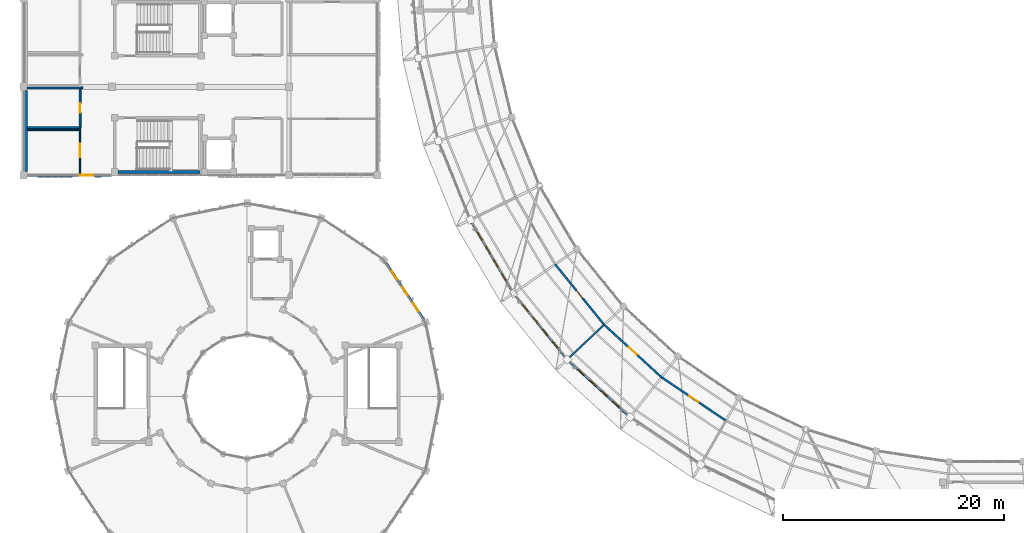
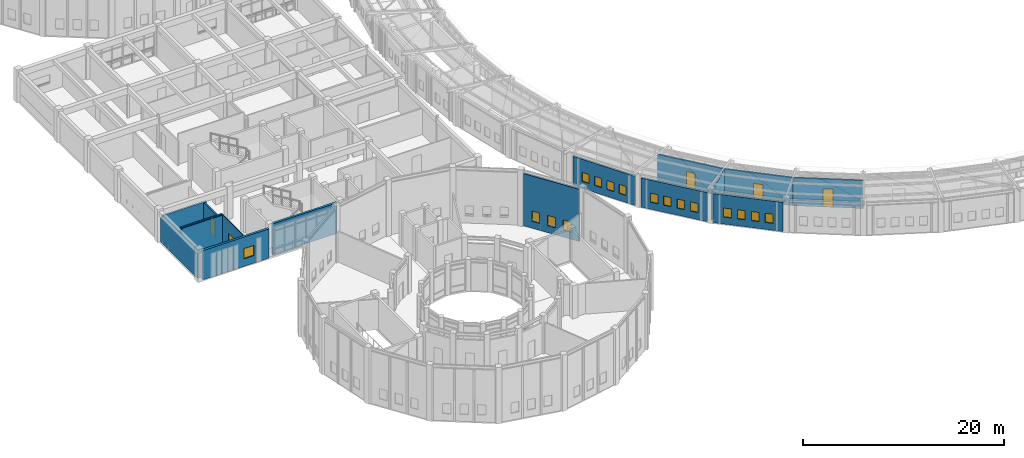
# One storey, part 119 of 149: 16 walls, 16 windows, 5 doors, 21 openings.
"""IFC4 building model written with IfcOpenShell, lengths in metres."""

from ifc_helpers import new_model, si_unit, direction, frame, frame_2d, origin, place, context, subcontext, project, spatial, rectangle, extrude, material, layer, layer_set, type_object, element, fill, save


model = new_model("IFC4")

# Units and contexts
model_context = context("Model", 3, precision=1e-05, world=origin(), true_north=direction((0.0, 1.0)))
body_context = subcontext(model_context, "Body", "Model", "MODEL_VIEW")
ifc_project = project(units=[si_unit("LENGTHUNIT", "METRE"), si_unit("AREAUNIT", "SQUARE_METRE"), si_unit("VOLUMEUNIT", "CUBIC_METRE"), si_unit("PLANEANGLEUNIT", "RADIAN"), si_unit("MASSUNIT", "GRAM", prefix="KILO")], contexts=[model_context])

# Site, building, storey
site_placement = place(None, origin())
site = spatial("IfcSite", under=ifc_project, at=site_placement, CompositionType="ELEMENT")
building_placement = place(site_placement, origin())
building = spatial("IfcBuilding", under=site, at=building_placement, Name="Celadon Cloister-Ring School", CompositionType="ELEMENT")
storey_placement = place(building_placement, frame((0.0, 0.0, 12.5)))
storey = spatial("IfcBuildingStorey", under=building, at=storey_placement, Name="L03", CompositionType="ELEMENT", Elevation=12.5)

# Wall, opening, window
ifc_material_1 = material(Name="Rendered concrete blockwork", Category="masonry")
ifc_layer_1 = layer(ifc_material_1, 0.260009765625)
ifc_layer_set_1 = layer_set([ifc_layer_1], Name="Rendered concrete blockwork")
wall_type_1 = type_object("IfcWallType", Name="WT-EX2", PredefinedType="SOLIDWALL", material=ifc_layer_set_1)
wall_1_placement = place(storey_placement, frame((7.947998046875, 40.0, 0.0), z_axis=(0.0, 0.0, 1.0), x_axis=(-1.0, 0.0, 0.0)))
wall_1 = element("IfcWall", 1, at=wall_1_placement, inside=storey, type_object=wall_type_1, Name="Exterior Wall 0537", PredefinedType="SOLIDWALL", context=body_context, shape_type="SweptSolid", body=[
    extrude(rectangle(XDim=7.62109375, YDim=0.260009765625, at=frame_2d((3.810546875, 0.0))), origin(), (0.0, 0.0, 1.0), 3.550048828125),
])
opening_1_placement = place(wall_1_placement, frame((1.7109375, 0.0, 0.89990234375)))
opening_1 = element("IfcOpeningElement", 2, at=opening_1_placement, cuts=wall_1, Name="Opening WN-13", PredefinedType="OPENING", context=body_context, shape_type="SweptSolid", body=[
    extrude(rectangle(XDim=1.14990234375, YDim=1.25, at=frame_2d((0.574951171875, 0.625))), frame((0.0, 0.14013671875, 0.0), z_axis=(0.0, -1.0, 0.0), x_axis=(1.0, 0.0, 0.0)), (0.0, 0.0, 1.0), 0.280029296875),
])
ifc_material_2 = material(Name="Tempered laminated insulating glass", Category="glass")
window_type_1 = type_object("IfcWindowType", Name="WN-13", PartitioningType="SINGLE_PANEL", PredefinedType="WINDOW", material=ifc_material_2)
window_1_placement = place(opening_1_placement, origin())
window_1 = element("IfcWindow", 3, at=window_1_placement, inside=storey, type_object=window_type_1, Name="Window 1009", OverallHeight=1.25, OverallWidth=1.14990234375, PartitioningType="SINGLE_PANEL", PredefinedType="WINDOW", context=body_context, shape_type="SweptSolid", body=[
    extrude(rectangle(XDim=1.14990234375, YDim=1.25, at=frame_2d((0.574951171875, 0.625))), frame((0.0, 0.030029296875, 0.0), z_axis=(0.0, -1.0, 0.0), x_axis=(1.0, 0.0, 0.0)), (0.0, 0.0, 1.0), 0.06005859375),
])
fill(opening_1, window_1)

# Wall, openings, windows
ifc_material_3 = material(Name="Perforated terracotta clay brick masonry", Category="masonry")
ifc_layer_2 = layer(ifc_material_3, 0.219970703125)
ifc_layer_set_2 = layer_set([ifc_layer_2], Name="Perforated terracotta clay brick masonry")
wall_type_2 = type_object("IfcWallType", Name="WT-EX4", PredefinedType="SOLIDWALL", material=ifc_layer_set_2)
wall_2_placement = place(storey_placement, frame((44.1298828125, 29.60888671875, 0.0), z_axis=(0.0, 0.0, 1.0), x_axis=(-0.507925334326, 0.861401099808, 0.0)))
wall_2 = element("IfcWall", 4, at=wall_2_placement, inside=storey, type_object=wall_type_2, Name="Exterior Wall 0184", PredefinedType="SOLIDWALL", context=body_context, shape_type="SweptSolid", body=[
    extrude(rectangle(XDim=7.08154296875, YDim=0.219970703125, at=frame_2d((3.540771484375, 0.0))), origin(), (0.0, 0.0, 1.0), 3.537109375),
])
opening_2_placement = place(wall_2_placement, frame((1.01611328125, 0.0, 0.85009765625)))
opening_2 = element("IfcOpeningElement", 5, at=opening_2_placement, cuts=wall_2, Name="Opening WN-01", PredefinedType="OPENING", context=body_context, shape_type="SweptSolid", body=[
    extrude(rectangle(XDim=0.800048828125, YDim=1.10009765625, at=frame_2d((0.39990234375, 0.550048828125))), frame((0.0, 0.1201171875, 0.0), z_axis=(0.0, -1.0, 0.0), x_axis=(1.0, 0.0, 0.0)), (0.0, 0.0, 1.0), 0.239990234375),
])
opening_3_placement = place(wall_2_placement, frame((2.43310546875, 0.0, 0.85009765625)))
opening_3 = element("IfcOpeningElement", 6, at=opening_3_placement, cuts=wall_2, Name="Opening WN-01", PredefinedType="OPENING", context=body_context, shape_type="SweptSolid", body=[
    extrude(rectangle(XDim=0.800048828125, YDim=1.10009765625, at=frame_2d((0.39990234375, 0.550048828125))), frame((0.0, 0.1201171875, 0.0), z_axis=(0.0, -1.0, 0.0), x_axis=(1.0, 0.0, 0.0)), (0.0, 0.0, 1.0), 0.239990234375),
])
opening_4_placement = place(wall_2_placement, frame((3.84912109375, 0.0, 0.85009765625)))
opening_4 = element("IfcOpeningElement", 7, at=opening_4_placement, cuts=wall_2, Name="Opening WN-01", PredefinedType="OPENING", context=body_context, shape_type="SweptSolid", body=[
    extrude(rectangle(XDim=0.800048828125, YDim=1.10009765625, at=frame_2d((0.39990234375, 0.550048828125))), frame((0.0, 0.1201171875, 0.0), z_axis=(0.0, -1.0, 0.0), x_axis=(1.0, 0.0, 0.0)), (0.0, 0.0, 1.0), 0.239990234375),
])
opening_5_placement = place(wall_2_placement, frame((5.264892578125, 0.0, 0.85009765625)))
opening_5 = element("IfcOpeningElement", 8, at=opening_5_placement, cuts=wall_2, Name="Opening WN-01", PredefinedType="OPENING", context=body_context, shape_type="SweptSolid", body=[
    extrude(rectangle(XDim=0.800048828125, YDim=1.10009765625, at=frame_2d((0.39990234375, 0.550048828125))), frame((0.0, 0.1201171875, 0.0), z_axis=(0.0, -1.0, 0.0), x_axis=(1.0, 0.0, 0.0)), (0.0, 0.0, 1.0), 0.239990234375),
])
ifc_material_4 = material(Name="Tempered laminated insulating glass", Category="glass")
window_type_2 = type_object("IfcWindowType", Name="WN-01", PartitioningType="SINGLE_PANEL", PredefinedType="WINDOW", material=ifc_material_4)
window_2_placement = place(opening_2_placement, origin())
window_2 = element("IfcWindow", 9, at=window_2_placement, inside=storey, type_object=window_type_2, Name="Window 0480", OverallHeight=1.10009765625, OverallWidth=0.800048828125, PartitioningType="SINGLE_PANEL", PredefinedType="WINDOW", context=body_context, shape_type="SweptSolid", body=[
    extrude(rectangle(XDim=0.800048828125, YDim=1.10009765625, at=frame_2d((0.39990234375, 0.550048828125))), frame((0.0, 0.030029296875, 0.0), z_axis=(0.0, -1.0, 0.0), x_axis=(1.0, 0.0, 0.0)), (0.0, 0.0, 1.0), 0.06005859375),
])
fill(opening_2, window_2)
window_3_placement = place(opening_3_placement, origin())
window_3 = element("IfcWindow", 10, at=window_3_placement, inside=storey, type_object=window_type_2, Name="Window 0481", OverallHeight=1.10009765625, OverallWidth=0.800048828125, PartitioningType="SINGLE_PANEL", PredefinedType="WINDOW", context=body_context, shape_type="SweptSolid", body=[
    extrude(rectangle(XDim=0.800048828125, YDim=1.10009765625, at=frame_2d((0.39990234375, 0.550048828125))), frame((0.0, 0.030029296875, 0.0), z_axis=(0.0, -1.0, 0.0), x_axis=(1.0, 0.0, 0.0)), (0.0, 0.0, 1.0), 0.06005859375),
])
fill(opening_3, window_3)
window_4_placement = place(opening_4_placement, origin())
window_4 = element("IfcWindow", 11, at=window_4_placement, inside=storey, type_object=window_type_2, Name="Window 0482", OverallHeight=1.10009765625, OverallWidth=0.800048828125, PartitioningType="SINGLE_PANEL", PredefinedType="WINDOW", context=body_context, shape_type="SweptSolid", body=[
    extrude(rectangle(XDim=0.800048828125, YDim=1.10009765625, at=frame_2d((0.39990234375, 0.550048828125))), frame((0.0, 0.030029296875, 0.0), z_axis=(0.0, -1.0, 0.0), x_axis=(1.0, 0.0, 0.0)), (0.0, 0.0, 1.0), 0.06005859375),
])
fill(opening_4, window_4)
window_5_placement = place(opening_5_placement, origin())
window_5 = element("IfcWindow", 12, at=window_5_placement, inside=storey, type_object=window_type_2, Name="Window 0483", OverallHeight=1.10009765625, OverallWidth=0.800048828125, PartitioningType="SINGLE_PANEL", PredefinedType="WINDOW", context=body_context, shape_type="SweptSolid", body=[
    extrude(rectangle(XDim=0.800048828125, YDim=1.10009765625, at=frame_2d((0.39990234375, 0.550048828125))), frame((0.0, 0.030029296875, 0.0), z_axis=(0.0, -1.0, 0.0), x_axis=(1.0, 0.0, 0.0)), (0.0, 0.0, 1.0), 0.06005859375),
])
fill(opening_5, window_5)

wall_3_placement = place(storey_placement, frame((48.94189453125, 23.597900390625, 0.0), z_axis=(0.0, 0.0, 1.0), x_axis=(-0.629593904529, 0.776924394893, 0.0)))
wall_3 = element("IfcWall", 13, at=wall_3_placement, inside=storey, type_object=wall_type_2, Name="Exterior Wall 0185", PredefinedType="SOLIDWALL", context=body_context, shape_type="SweptSolid", body=[
    extrude(rectangle(XDim=7.080810546875, YDim=0.219970703125, at=frame_2d((3.54052734375, 0.0))), origin(), (0.0, 0.0, 1.0), 3.537109375),
])
opening_6_placement = place(wall_3_placement, frame((1.01611328125, 0.0, 0.85009765625)))
opening_6 = element("IfcOpeningElement", 14, at=opening_6_placement, cuts=wall_3, Name="Opening WN-01", PredefinedType="OPENING", context=body_context, shape_type="SweptSolid", body=[
    extrude(rectangle(XDim=0.800048828125, YDim=1.10009765625, at=frame_2d((0.39990234375, 0.550048828125))), frame((0.0, 0.1201171875, 0.0), z_axis=(0.0, -1.0, 0.0), x_axis=(1.0, 0.0, 0.0)), (0.0, 0.0, 1.0), 0.239990234375),
])
opening_7_placement = place(wall_3_placement, frame((2.431884765625, 0.0, 0.85009765625)))
opening_7 = element("IfcOpeningElement", 15, at=opening_7_placement, cuts=wall_3, Name="Opening WN-01", PredefinedType="OPENING", context=body_context, shape_type="SweptSolid", body=[
    extrude(rectangle(XDim=0.800048828125, YDim=1.10009765625, at=frame_2d((0.39990234375, 0.550048828125))), frame((0.0, 0.1201171875, 0.0), z_axis=(0.0, -1.0, 0.0), x_axis=(1.0, 0.0, 0.0)), (0.0, 0.0, 1.0), 0.239990234375),
])
opening_8_placement = place(wall_3_placement, frame((3.847900390625, 0.0, 0.85009765625)))
opening_8 = element("IfcOpeningElement", 16, at=opening_8_placement, cuts=wall_3, Name="Opening WN-01", PredefinedType="OPENING", context=body_context, shape_type="SweptSolid", body=[
    extrude(rectangle(XDim=0.800048828125, YDim=1.10009765625, at=frame_2d((0.39990234375, 0.550048828125))), frame((0.0, 0.1201171875, 0.0), z_axis=(0.0, -1.0, 0.0), x_axis=(1.0, 0.0, 0.0)), (0.0, 0.0, 1.0), 0.239990234375),
])
opening_9_placement = place(wall_3_placement, frame((5.263916015625, 0.0, 0.85009765625)))
opening_9 = element("IfcOpeningElement", 17, at=opening_9_placement, cuts=wall_3, Name="Opening WN-01", PredefinedType="OPENING", context=body_context, shape_type="SweptSolid", body=[
    extrude(rectangle(XDim=0.800048828125, YDim=1.10009765625, at=frame_2d((0.39990234375, 0.550048828125))), frame((0.0, 0.1201171875, 0.0), z_axis=(0.0, -1.0, 0.0), x_axis=(1.0, 0.0, 0.0)), (0.0, 0.0, 1.0), 0.239990234375),
])
window_6_placement = place(opening_6_placement, origin())
window_6 = element("IfcWindow", 18, at=window_6_placement, inside=storey, type_object=window_type_2, Name="Window 0484", OverallHeight=1.10009765625, OverallWidth=0.800048828125, PartitioningType="SINGLE_PANEL", PredefinedType="WINDOW", context=body_context, shape_type="SweptSolid", body=[
    extrude(rectangle(XDim=0.800048828125, YDim=1.10009765625, at=frame_2d((0.39990234375, 0.550048828125))), frame((0.0, 0.030029296875, 0.0), z_axis=(0.0, -1.0, 0.0), x_axis=(1.0, 0.0, 0.0)), (0.0, 0.0, 1.0), 0.06005859375),
])
fill(opening_6, window_6)
window_7_placement = place(opening_7_placement, origin())
window_7 = element("IfcWindow", 19, at=window_7_placement, inside=storey, type_object=window_type_2, Name="Window 0485", OverallHeight=1.10009765625, OverallWidth=0.800048828125, PartitioningType="SINGLE_PANEL", PredefinedType="WINDOW", context=body_context, shape_type="SweptSolid", body=[
    extrude(rectangle(XDim=0.800048828125, YDim=1.10009765625, at=frame_2d((0.39990234375, 0.550048828125))), frame((0.0, 0.030029296875, 0.0), z_axis=(0.0, -1.0, 0.0), x_axis=(1.0, 0.0, 0.0)), (0.0, 0.0, 1.0), 0.06005859375),
])
fill(opening_7, window_7)
window_8_placement = place(opening_8_placement, origin())
window_8 = element("IfcWindow", 20, at=window_8_placement, inside=storey, type_object=window_type_2, Name="Window 0486", OverallHeight=1.10009765625, OverallWidth=0.800048828125, PartitioningType="SINGLE_PANEL", PredefinedType="WINDOW", context=body_context, shape_type="SweptSolid", body=[
    extrude(rectangle(XDim=0.800048828125, YDim=1.10009765625, at=frame_2d((0.39990234375, 0.550048828125))), frame((0.0, 0.030029296875, 0.0), z_axis=(0.0, -1.0, 0.0), x_axis=(1.0, 0.0, 0.0)), (0.0, 0.0, 1.0), 0.06005859375),
])
fill(opening_8, window_8)
window_9_placement = place(opening_9_placement, origin())
window_9 = element("IfcWindow", 21, at=window_9_placement, inside=storey, type_object=window_type_2, Name="Window 0487", OverallHeight=1.10009765625, OverallWidth=0.800048828125, PartitioningType="SINGLE_PANEL", PredefinedType="WINDOW", context=body_context, shape_type="SweptSolid", body=[
    extrude(rectangle(XDim=0.800048828125, YDim=1.10009765625, at=frame_2d((0.39990234375, 0.550048828125))), frame((0.0, 0.030029296875, 0.0), z_axis=(0.0, -1.0, 0.0), x_axis=(1.0, 0.0, 0.0)), (0.0, 0.0, 1.0), 0.06005859375),
])
fill(opening_9, window_9)

wall_4_placement = place(storey_placement, frame((54.591064453125, 18.363037109375, 0.0), z_axis=(0.0, 0.0, 1.0), x_axis=(-0.737563208126, 0.675278101243, 0.0)))
wall_4 = element("IfcWall", 22, at=wall_4_placement, inside=storey, type_object=wall_type_2, Name="Exterior Wall 0186", PredefinedType="SOLIDWALL", context=body_context, shape_type="SweptSolid", body=[
    extrude(rectangle(XDim=7.0830078125, YDim=0.219970703125, at=frame_2d((3.54150390625, 0.0))), origin(), (0.0, 0.0, 1.0), 3.537109375),
])
opening_10_placement = place(wall_4_placement, frame((1.01708984375, 0.0, 0.85009765625)))
opening_10 = element("IfcOpeningElement", 23, at=opening_10_placement, cuts=wall_4, Name="Opening WN-01", PredefinedType="OPENING", context=body_context, shape_type="SweptSolid", body=[
    extrude(rectangle(XDim=0.800048828125, YDim=1.10009765625, at=frame_2d((0.39990234375, 0.550048828125))), frame((0.0, 0.1201171875, 0.0), z_axis=(0.0, -1.0, 0.0), x_axis=(1.0, 0.0, 0.0)), (0.0, 0.0, 1.0), 0.239990234375),
])
opening_11_placement = place(wall_4_placement, frame((2.43310546875, 0.0, 0.85009765625)))
opening_11 = element("IfcOpeningElement", 24, at=opening_11_placement, cuts=wall_4, Name="Opening WN-01", PredefinedType="OPENING", context=body_context, shape_type="SweptSolid", body=[
    extrude(rectangle(XDim=0.800048828125, YDim=1.10009765625, at=frame_2d((0.39990234375, 0.550048828125))), frame((0.0, 0.1201171875, 0.0), z_axis=(0.0, -1.0, 0.0), x_axis=(1.0, 0.0, 0.0)), (0.0, 0.0, 1.0), 0.239990234375),
])
opening_12_placement = place(wall_4_placement, frame((3.85009765625, 0.0, 0.85009765625)))
opening_12 = element("IfcOpeningElement", 25, at=opening_12_placement, cuts=wall_4, Name="Opening WN-01", PredefinedType="OPENING", context=body_context, shape_type="SweptSolid", body=[
    extrude(rectangle(XDim=0.800048828125, YDim=1.10009765625, at=frame_2d((0.39990234375, 0.550048828125))), frame((0.0, 0.1201171875, 0.0), z_axis=(0.0, -1.0, 0.0), x_axis=(1.0, 0.0, 0.0)), (0.0, 0.0, 1.0), 0.239990234375),
])
opening_13_placement = place(wall_4_placement, frame((5.26611328125, 0.0, 0.85009765625)))
opening_13 = element("IfcOpeningElement", 26, at=opening_13_placement, cuts=wall_4, Name="Opening WN-01", PredefinedType="OPENING", context=body_context, shape_type="SweptSolid", body=[
    extrude(rectangle(XDim=0.800048828125, YDim=1.10009765625, at=frame_2d((0.39990234375, 0.550048828125))), frame((0.0, 0.1201171875, 0.0), z_axis=(0.0, -1.0, 0.0), x_axis=(1.0, 0.0, 0.0)), (0.0, 0.0, 1.0), 0.239990234375),
])
window_10_placement = place(opening_10_placement, origin())
window_10 = element("IfcWindow", 27, at=window_10_placement, inside=storey, type_object=window_type_2, Name="Window 0488", OverallHeight=1.10009765625, OverallWidth=0.800048828125, PartitioningType="SINGLE_PANEL", PredefinedType="WINDOW", context=body_context, shape_type="SweptSolid", body=[
    extrude(rectangle(XDim=0.800048828125, YDim=1.10009765625, at=frame_2d((0.39990234375, 0.550048828125))), frame((0.0, 0.030029296875, 0.0), z_axis=(0.0, -1.0, 0.0), x_axis=(1.0, 0.0, 0.0)), (0.0, 0.0, 1.0), 0.06005859375),
])
fill(opening_10, window_10)
window_11_placement = place(opening_11_placement, origin())
window_11 = element("IfcWindow", 28, at=window_11_placement, inside=storey, type_object=window_type_2, Name="Window 0489", OverallHeight=1.10009765625, OverallWidth=0.800048828125, PartitioningType="SINGLE_PANEL", PredefinedType="WINDOW", context=body_context, shape_type="SweptSolid", body=[
    extrude(rectangle(XDim=0.800048828125, YDim=1.10009765625, at=frame_2d((0.39990234375, 0.550048828125))), frame((0.0, 0.030029296875, 0.0), z_axis=(0.0, -1.0, 0.0), x_axis=(1.0, 0.0, 0.0)), (0.0, 0.0, 1.0), 0.06005859375),
])
fill(opening_11, window_11)
window_12_placement = place(opening_12_placement, origin())
window_12 = element("IfcWindow", 29, at=window_12_placement, inside=storey, type_object=window_type_2, Name="Window 0490", OverallHeight=1.10009765625, OverallWidth=0.800048828125, PartitioningType="SINGLE_PANEL", PredefinedType="WINDOW", context=body_context, shape_type="SweptSolid", body=[
    extrude(rectangle(XDim=0.800048828125, YDim=1.10009765625, at=frame_2d((0.39990234375, 0.550048828125))), frame((0.0, 0.030029296875, 0.0), z_axis=(0.0, -1.0, 0.0), x_axis=(1.0, 0.0, 0.0)), (0.0, 0.0, 1.0), 0.06005859375),
])
fill(opening_12, window_12)
window_13_placement = place(opening_13_placement, origin())
window_13 = element("IfcWindow", 30, at=window_13_placement, inside=storey, type_object=window_type_2, Name="Window 0491", OverallHeight=1.10009765625, OverallWidth=0.800048828125, PartitioningType="SINGLE_PANEL", PredefinedType="WINDOW", context=body_context, shape_type="SweptSolid", body=[
    extrude(rectangle(XDim=0.800048828125, YDim=1.10009765625, at=frame_2d((0.39990234375, 0.550048828125))), frame((0.0, 0.030029296875, 0.0), z_axis=(0.0, -1.0, 0.0), x_axis=(1.0, 0.0, 0.0)), (0.0, 0.0, 1.0), 0.06005859375),
])
fill(opening_13, window_13)

wall_5_placement = place(storey_placement, frame((32.757080078125, 32.10009765625, 0.0), z_axis=(0.0, 0.0, 1.0), x_axis=(0.555658736667, -0.831410469242, 0.0)))
wall_5 = element("IfcWall", 31, at=wall_5_placement, inside=storey, type_object=wall_type_2, Name="Exterior Wall 0352", PredefinedType="SOLIDWALL", context=body_context, shape_type="SweptSolid", body=[
    extrude(rectangle(XDim=6.169189453125, YDim=0.219970703125, at=frame_2d((3.08447265625, 0.0))), origin(), (0.0, 0.0, 1.0), 6.35009765625),
])
opening_14_placement = place(wall_5_placement, frame((0.931884765625, 0.0, 0.85009765625)))
opening_14 = element("IfcOpeningElement", 32, at=opening_14_placement, cuts=wall_5, Name="Opening WN-11", PredefinedType="OPENING", context=body_context, shape_type="SweptSolid", body=[
    extrude(rectangle(XDim=0.85009765625, YDim=1.25, at=frame_2d((0.425048828125, 0.625))), frame((0.0, 0.1201171875, 0.0), z_axis=(0.0, -1.0, 0.0), x_axis=(1.0, 0.0, 0.0)), (0.0, 0.0, 1.0), 0.239990234375),
])
opening_15_placement = place(wall_5_placement, frame((2.659912109375, 0.0, 0.85009765625)))
opening_15 = element("IfcOpeningElement", 33, at=opening_15_placement, cuts=wall_5, Name="Opening WN-11", PredefinedType="OPENING", context=body_context, shape_type="SweptSolid", body=[
    extrude(rectangle(XDim=0.85009765625, YDim=1.25, at=frame_2d((0.425048828125, 0.625))), frame((0.0, 0.1201171875, 0.0), z_axis=(0.0, -1.0, 0.0), x_axis=(1.0, 0.0, 0.0)), (0.0, 0.0, 1.0), 0.239990234375),
])
opening_16_placement = place(wall_5_placement, frame((4.386962890625, 0.0, 0.85009765625)))
opening_16 = element("IfcOpeningElement", 34, at=opening_16_placement, cuts=wall_5, Name="Opening WN-11", PredefinedType="OPENING", context=body_context, shape_type="SweptSolid", body=[
    extrude(rectangle(XDim=0.85009765625, YDim=1.25, at=frame_2d((0.425048828125, 0.625))), frame((0.0, 0.1201171875, 0.0), z_axis=(0.0, -1.0, 0.0), x_axis=(1.0, 0.0, 0.0)), (0.0, 0.0, 1.0), 0.239990234375),
])
ifc_material_5 = material(Name="Tempered laminated insulating glass", Category="glass")
window_type_3 = type_object("IfcWindowType", Name="WN-11", PartitioningType="SINGLE_PANEL", PredefinedType="WINDOW", material=ifc_material_5)
window_14_placement = place(opening_14_placement, origin())
window_14 = element("IfcWindow", 35, at=window_14_placement, inside=storey, type_object=window_type_3, Name="Window 0901", OverallHeight=1.25, OverallWidth=0.85009765625, PartitioningType="SINGLE_PANEL", PredefinedType="WINDOW", context=body_context, shape_type="SweptSolid", body=[
    extrude(rectangle(XDim=0.85009765625, YDim=1.25, at=frame_2d((0.425048828125, 0.625))), frame((0.0, 0.030029296875, 0.0), z_axis=(0.0, -1.0, 0.0), x_axis=(1.0, 0.0, 0.0)), (0.0, 0.0, 1.0), 0.06005859375),
])
fill(opening_14, window_14)
window_15_placement = place(opening_15_placement, origin())
window_15 = element("IfcWindow", 36, at=window_15_placement, inside=storey, type_object=window_type_3, Name="Window 0902", OverallHeight=1.25, OverallWidth=0.85009765625, PartitioningType="SINGLE_PANEL", PredefinedType="WINDOW", context=body_context, shape_type="SweptSolid", body=[
    extrude(rectangle(XDim=0.85009765625, YDim=1.25, at=frame_2d((0.425048828125, 0.625))), frame((0.0, 0.030029296875, 0.0), z_axis=(0.0, -1.0, 0.0), x_axis=(1.0, 0.0, 0.0)), (0.0, 0.0, 1.0), 0.06005859375),
])
fill(opening_15, window_15)
window_16_placement = place(opening_16_placement, origin())
window_16 = element("IfcWindow", 37, at=window_16_placement, inside=storey, type_object=window_type_3, Name="Window 0903", OverallHeight=1.25, OverallWidth=0.85009765625, PartitioningType="SINGLE_PANEL", PredefinedType="WINDOW", context=body_context, shape_type="SweptSolid", body=[
    extrude(rectangle(XDim=0.85009765625, YDim=1.25, at=frame_2d((0.425048828125, 0.625))), frame((0.0, 0.030029296875, 0.0), z_axis=(0.0, -1.0, 0.0), x_axis=(1.0, 0.0, 0.0)), (0.0, 0.0, 1.0), 0.06005859375),
])
fill(opening_16, window_16)

# Wall
ifc_material_6 = material(Name="Concrete C40/50", Category="concrete")
ifc_layer_3 = layer(ifc_material_6, 0.35009765625)
ifc_layer_set_3 = layer_set([ifc_layer_3], Name="Concrete C40/50")
wall_type_3 = type_object("IfcWallType", Name="WT-FW2", PredefinedType="SHEAR", material=ifc_layer_set_3)
wall_6_placement = place(storey_placement, frame((0.175048828125, 40.326904296875, 0.0), z_axis=(0.0, 0.0, 1.0), x_axis=(0.0, 1.0, 0.0)))
element("IfcWall", 38, at=wall_6_placement, inside=storey, type_object=wall_type_3, Name="Exterior Wall 0538", PredefinedType="SHEAR", context=body_context, shape_type="SweptSolid", body=[
    extrude(rectangle(XDim=7.34619140625, YDim=0.35009765625, at=frame_2d((3.673095703125, 0.0))), origin(), (0.0, 0.0, 1.0), 3.001953125),
])

# Wall, opening, door
ifc_material_7 = material(Name="Plastered hollow concrete masonry", Category="masonry")
ifc_layer_4 = layer(ifc_material_7, 0.179931640625)
ifc_layer_set_4 = layer_set([ifc_layer_4], Name="Plastered hollow concrete masonry")
wall_type_4 = type_object("IfcWallType", Name="WT-PT2", PredefinedType="PARTITIONING", material=ifc_layer_set_4)
wall_7_placement = place(storey_placement, frame((48.050048828125, 31.952880859375, 0.0), z_axis=(0.0, 0.0, 1.0), x_axis=(0.629599050971, -0.776920224358, 0.0)))
wall_7 = element("IfcWall", 39, at=wall_7_placement, inside=storey, type_object=wall_type_4, Name="Interior Wall 0620", PredefinedType="PARTITIONING", context=body_context, shape_type="SweptSolid", body=[
    extrude(rectangle(XDim=7.02490234375, YDim=0.179931640625, at=frame_2d((3.512451171875, 0.0))), origin(), (0.0, 0.0, 1.0), 3.39697265625),
])
opening_17_placement = place(wall_7_placement, frame((3.072998046875, 0.0, 0.0)))
opening_17 = element("IfcOpeningElement", 40, at=opening_17_placement, cuts=wall_7, Name="Opening D-0217", PredefinedType="OPENING", context=body_context, shape_type="SweptSolid", body=[
    extrude(rectangle(XDim=0.8798828125, YDim=2.10009765625, at=frame_2d((0.43994140625, 1.050048828125))), frame((0.0, 0.10009765625, 0.0), z_axis=(0.0, -1.0, 0.0), x_axis=(1.0, 0.0, 0.0)), (0.0, 0.0, 1.0), 0.199951171875),
])
ifc_material_8 = material(Name="Solid-core fire-rated hardwood leaf", Category="wood")
door_type_1 = type_object("IfcDoorType", Name="DT-01", OperationType="NOTDEFINED", PredefinedType="DOOR", material=ifc_material_8)
door_1_placement = place(opening_17_placement, origin())
door_1 = element("IfcDoor", 41, at=door_1_placement, inside=storey, type_object=door_type_1, Name="Door D-0217", OperationType="SINGLE_SWING_LEFT", OverallHeight=2.10009765625, OverallWidth=0.8798828125, PredefinedType="DOOR", context=body_context, shape_type="SweptSolid", body=[
    extrude(rectangle(XDim=0.8798828125, YDim=2.10009765625, at=frame_2d((0.43994140625, 1.050048828125))), frame((0.0, 0.02490234375, 0.0), z_axis=(0.0, -1.0, 0.0), x_axis=(1.0, 0.0, 0.0)), (0.0, 0.0, 1.0), 0.050048828125),
])
fill(opening_17, door_1)

wall_8_placement = place(storey_placement, frame((52.472900390625, 26.4951171875, 0.0), z_axis=(0.0, 0.0, 1.0), x_axis=(0.737526212357, -0.67531850714, 0.0)))
wall_8 = element("IfcWall", 42, at=wall_8_placement, inside=storey, type_object=wall_type_4, Name="Interior Wall 0621", PredefinedType="PARTITIONING", context=body_context, shape_type="SweptSolid", body=[
    extrude(rectangle(XDim=7.025146484375, YDim=0.179931640625, at=frame_2d((3.5126953125, 0.0))), origin(), (0.0, 0.0, 1.0), 3.39697265625),
])
opening_18_placement = place(wall_8_placement, frame((3.011962890625, 0.0, 0.0)))
opening_18 = element("IfcOpeningElement", 43, at=opening_18_placement, cuts=wall_8, Name="Opening D-0218", PredefinedType="OPENING", context=body_context, shape_type="SweptSolid", body=[
    extrude(rectangle(XDim=1.0, YDim=2.10009765625, at=frame_2d((0.5, 1.050048828125))), frame((0.0, 0.10009765625, 0.0), z_axis=(0.0, -1.0, 0.0), x_axis=(1.0, 0.0, 0.0)), (0.0, 0.0, 1.0), 0.199951171875),
])
ifc_material_9 = material(Name="Solid-core fire-rated hardwood leaf", Category="wood")
door_type_2 = type_object("IfcDoorType", Name="DT-04", OperationType="NOTDEFINED", PredefinedType="DOOR", material=ifc_material_9)
door_2_placement = place(opening_18_placement, origin())
door_2 = element("IfcDoor", 44, at=door_2_placement, inside=storey, type_object=door_type_2, Name="Door D-0218", OperationType="SINGLE_SWING_RIGHT", OverallHeight=2.10009765625, OverallWidth=1.0, PredefinedType="DOOR", context=body_context, shape_type="SweptSolid", body=[
    extrude(rectangle(XDim=1.0, YDim=2.10009765625, at=frame_2d((0.5, 1.050048828125))), frame((0.0, 0.02490234375, 0.0), z_axis=(0.0, -1.0, 0.0), x_axis=(1.0, 0.0, 0.0)), (0.0, 0.0, 1.0), 0.050048828125),
])
fill(opening_18, door_2)

wall_9_placement = place(storey_placement, frame((57.654052734375, 21.7509765625, 0.0), z_axis=(0.0, 0.0, 1.0), x_axis=(0.829168029301, -0.558999444709, 0.0)))
wall_9 = element("IfcWall", 45, at=wall_9_placement, inside=storey, type_object=wall_type_4, Name="Interior Wall 0622", PredefinedType="PARTITIONING", context=body_context, shape_type="SweptSolid", body=[
    extrude(rectangle(XDim=7.025146484375, YDim=0.179931640625, at=frame_2d((3.5126953125, 0.0))), origin(), (0.0, 0.0, 1.0), 3.39697265625),
])
opening_19_placement = place(wall_9_placement, frame((3.02294921875, 0.0, 0.0)))
opening_19 = element("IfcOpeningElement", 46, at=opening_19_placement, cuts=wall_9, Name="Opening D-0219", PredefinedType="OPENING", context=body_context, shape_type="SweptSolid", body=[
    extrude(rectangle(XDim=0.97998046875, YDim=2.199951171875, at=frame_2d((0.489990234375, 1.10009765625))), frame((0.0, 0.10009765625, 0.0), z_axis=(0.0, -1.0, 0.0), x_axis=(1.0, 0.0, 0.0)), (0.0, 0.0, 1.0), 0.199951171875),
])
ifc_material_10 = material(Name="Solid-core fire-rated hardwood leaf", Category="wood")
door_type_3 = type_object("IfcDoorType", Name="DT-07", OperationType="NOTDEFINED", PredefinedType="DOOR", material=ifc_material_10)
door_3_placement = place(opening_19_placement, origin())
door_3 = element("IfcDoor", 47, at=door_3_placement, inside=storey, type_object=door_type_3, Name="Door D-0219", OperationType="SINGLE_SWING_LEFT", OverallHeight=2.199951171875, OverallWidth=0.97998046875, PredefinedType="DOOR", context=body_context, shape_type="SweptSolid", body=[
    extrude(rectangle(XDim=0.97998046875, YDim=2.199951171875, at=frame_2d((0.489990234375, 1.10009765625))), frame((0.0, 0.02490234375, 0.0), z_axis=(0.0, -1.0, 0.0), x_axis=(1.0, 0.0, 0.0)), (0.0, 0.0, 1.0), 0.050048828125),
])
fill(opening_19, door_3)

# Wall
wall_10_placement = place(storey_placement, frame((0.31689453125, 47.89990234375, 0.0), z_axis=(0.0, 0.0, 1.0), x_axis=(1.0, 0.0, 0.0)))
element("IfcWall", 48, at=wall_10_placement, inside=storey, type_object=wall_type_4, Name="Interior Wall 1101", PredefinedType="PARTITIONING", context=body_context, shape_type="SweptSolid", body=[
    extrude(rectangle(XDim=5.023193359375, YDim=0.179931640625, at=frame_2d((2.51171875, 0.0))), origin(), (0.0, 0.0, 1.0), 3.001953125),
])

# Wall, opening, door
wall_11_placement = place(storey_placement, frame((5.10009765625, 47.806884765625, 0.0), z_axis=(0.0, 0.0, 1.0), x_axis=(0.0, -1.0, 0.0)))
wall_11 = element("IfcWall", 49, at=wall_11_placement, inside=storey, type_object=wall_type_4, Name="Interior Wall 1102", PredefinedType="PARTITIONING", context=body_context, shape_type="SweptSolid", body=[
    extrude(rectangle(XDim=3.466796875, YDim=0.179931640625, at=frame_2d((1.7333984375, 0.0))), origin(), (0.0, 0.0, 1.0), 3.001953125),
])
opening_20_placement = place(wall_11_placement, frame((1.29296875, 0.0, 0.0)))
opening_20 = element("IfcOpeningElement", 50, at=opening_20_placement, cuts=wall_11, Name="Opening D-0391", PredefinedType="OPENING", context=body_context, shape_type="SweptSolid", body=[
    extrude(rectangle(XDim=0.8798828125, YDim=2.10009765625, at=frame_2d((0.43994140625, 1.050048828125))), frame((0.0, 0.10009765625, 0.0), z_axis=(0.0, -1.0, 0.0), x_axis=(1.0, 0.0, 0.0)), (0.0, 0.0, 1.0), 0.199951171875),
])
door_4_placement = place(opening_20_placement, origin())
door_4 = element("IfcDoor", 51, at=door_4_placement, inside=storey, type_object=door_type_1, Name="Door D-0391", OperationType="SINGLE_SWING_LEFT", OverallHeight=2.10009765625, OverallWidth=0.8798828125, PredefinedType="DOOR", context=body_context, shape_type="SweptSolid", body=[
    extrude(rectangle(XDim=0.8798828125, YDim=2.10009765625, at=frame_2d((0.43994140625, 1.050048828125))), frame((0.0, 0.02490234375, 0.0), z_axis=(0.0, -1.0, 0.0), x_axis=(1.0, 0.0, 0.0)), (0.0, 0.0, 1.0), 0.050048828125),
])
fill(opening_20, door_4)

# Walls
wall_12_placement = place(storey_placement, frame((5.047119140625, 44.300048828125, 0.0), z_axis=(0.0, 0.0, 1.0), x_axis=(-1.0, 0.0, 0.0)))
element("IfcWall", 52, at=wall_12_placement, inside=storey, type_object=wall_type_4, Name="Interior Wall 1103", PredefinedType="PARTITIONING", context=body_context, shape_type="SweptSolid", body=[
    extrude(rectangle(XDim=4.694091796875, YDim=0.179931640625, at=frame_2d((2.34716796875, 0.0))), origin(), (0.0, 0.0, 1.0), 3.699951171875),
])
ifc_material_11 = material(Name="Acoustic mineral-wool drywall partition")
ifc_layer_5 = layer(ifc_material_11, 0.139892578125)
ifc_layer_set_5 = layer_set([ifc_layer_5], Name="Acoustic mineral-wool drywall partition")
wall_type_5 = type_object("IfcWallType", Name="WT-PT4", PredefinedType="PARTITIONING", material=ifc_layer_set_5)
wall_13_placement = place(storey_placement, frame((52.472900390625, 26.4951171875, 0.0), z_axis=(0.0, 0.0, 1.0), x_axis=(-0.728081297538, -0.68549079073, 0.0)))
element("IfcWall", 53, at=wall_13_placement, inside=storey, type_object=wall_type_5, Name="Interior Wall 0597", PredefinedType="PARTITIONING", context=body_context, shape_type="SweptSolid", body=[
    extrude(rectangle(XDim=4.287841796875, YDim=0.139892578125, at=frame_2d((2.14404296875, 0.0))), origin(), (0.0, 0.0, 1.0), 3.39697265625),
])

# Wall, opening, door
ifc_material_12 = material(Name="Acoustic mineral-wool drywall partition")
ifc_layer_6 = layer(ifc_material_12, 0.10009765625)
ifc_layer_set_6 = layer_set([ifc_layer_6], Name="Acoustic mineral-wool drywall partition")
wall_type_6 = type_object("IfcWallType", Name="WT-PT6", PredefinedType="PARTITIONING", material=ifc_layer_set_6)
wall_14_placement = place(storey_placement, frame((5.10009765625, 44.340087890625, 0.0), z_axis=(0.0, 0.0, 1.0), x_axis=(0.0, -1.0, 0.0)))
wall_14 = element("IfcWall", 54, at=wall_14_placement, inside=storey, type_object=wall_type_6, Name="Interior Wall 1099", PredefinedType="PARTITIONING", context=body_context, shape_type="SweptSolid", body=[
    extrude(rectangle(XDim=4.20703125, YDim=0.10009765625, at=frame_2d((2.103515625, 0.0))), origin(), (0.0, 0.0, 1.0), 3.699951171875),
])
opening_21_placement = place(wall_14_placement, frame((1.47900390625, 0.0, 0.0)))
opening_21 = element("IfcOpeningElement", 55, at=opening_21_placement, cuts=wall_14, Name="Opening D-0390", PredefinedType="OPENING", context=body_context, shape_type="SweptSolid", body=[
    extrude(rectangle(XDim=1.25, YDim=2.199951171875, at=frame_2d((0.625, 1.10009765625))), frame((0.0, 0.06005859375, 0.0), z_axis=(0.0, -1.0, 0.0), x_axis=(1.0, 0.0, 0.0)), (0.0, 0.0, 1.0), 0.1201171875),
])
ifc_material_13 = material(Name="Galvanised fire-rated hollow steel leaf", Category="steel")
door_type_4 = type_object("IfcDoorType", Name="DT-10", OperationType="NOTDEFINED", PredefinedType="DOOR", material=ifc_material_13)
door_5_placement = place(opening_21_placement, origin())
door_5 = element("IfcDoor", 56, at=door_5_placement, inside=storey, type_object=door_type_4, Name="Door D-0390", OperationType="SINGLE_SWING_RIGHT", OverallHeight=2.199951171875, OverallWidth=1.25, PredefinedType="DOOR", context=body_context, shape_type="SweptSolid", body=[
    extrude(rectangle(XDim=1.25, YDim=2.199951171875, at=frame_2d((0.625, 1.10009765625))), frame((0.0, 0.02490234375, 0.0), z_axis=(0.0, -1.0, 0.0), x_axis=(1.0, 0.0, 0.0)), (0.0, 0.0, 1.0), 0.050048828125),
])
fill(opening_21, door_5)

# Walls
wall_15_placement = place(storey_placement, frame((0.35302734375, 44.10009765625, 0.0), z_axis=(0.0, 0.0, 1.0), x_axis=(1.0, 0.0, 0.0)))
element("IfcWall", 57, at=wall_15_placement, inside=storey, type_object=wall_type_6, Name="Interior Wall 1100", PredefinedType="PARTITIONING", context=body_context, shape_type="SweptSolid", body=[
    extrude(rectangle(XDim=4.694091796875, YDim=0.10009765625, at=frame_2d((2.34716796875, 0.0))), origin(), (0.0, 0.0, 1.0), 3.699951171875),
])
ifc_material_14 = material(Name="Concrete C40/50", Category="concrete")
ifc_layer_7 = layer(ifc_material_14, 0.239990234375)
ifc_layer_set_7 = layer_set([ifc_layer_7], Name="Concrete C40/50")
wall_type_7 = type_object("IfcWallType", Name="WT-SH1", PredefinedType="SHEAR", material=ifc_layer_set_7)
wall_16_placement = place(storey_placement, frame((15.927001953125, 40.300048828125, 0.0), z_axis=(0.0, 0.0, 1.0), x_axis=(-1.0, 0.0, 0.0)))
element("IfcWall", 58, at=wall_16_placement, inside=storey, type_object=wall_type_7, Name="Interior Wall 0015", PredefinedType="SHEAR", context=body_context, shape_type="SweptSolid", body=[
    extrude(rectangle(XDim=7.385009765625, YDim=0.239990234375, at=frame_2d((3.6923828125, 0.0))), origin(), (0.0, 0.0, 1.0), 3.739990234375),
])

save(model, "model.ifc")
